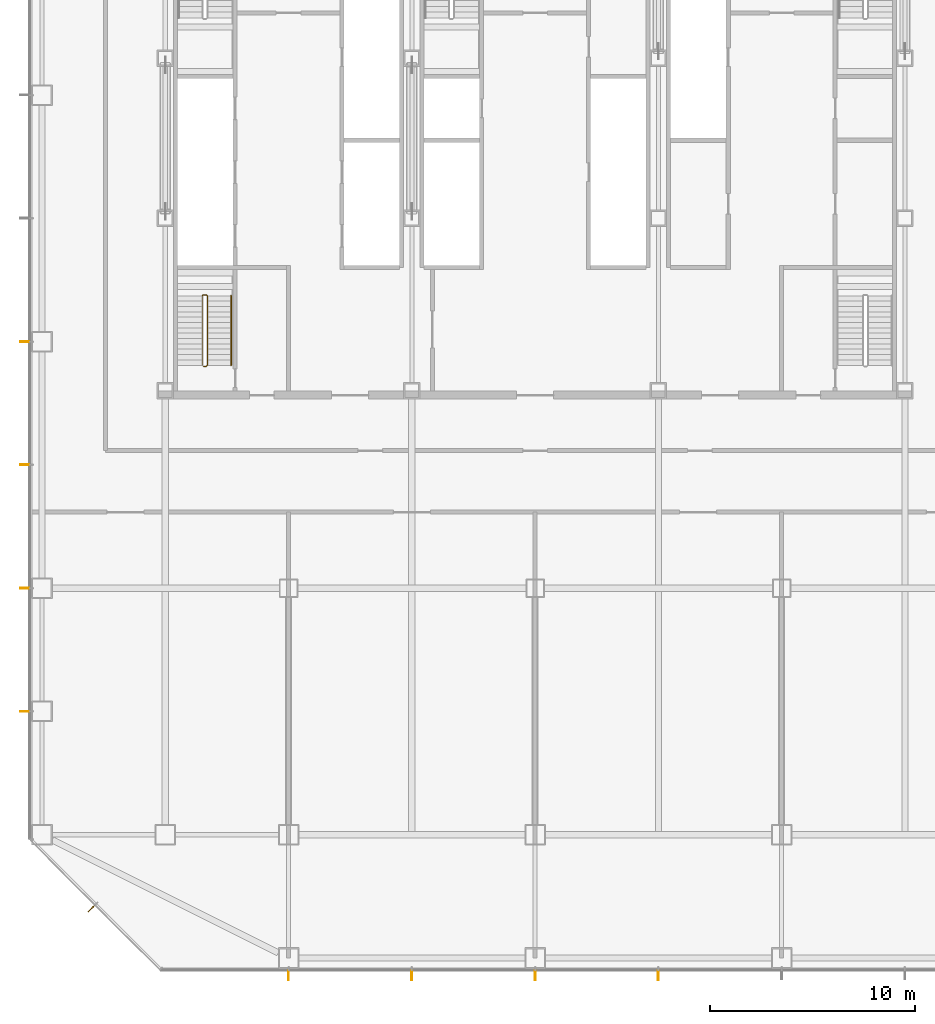
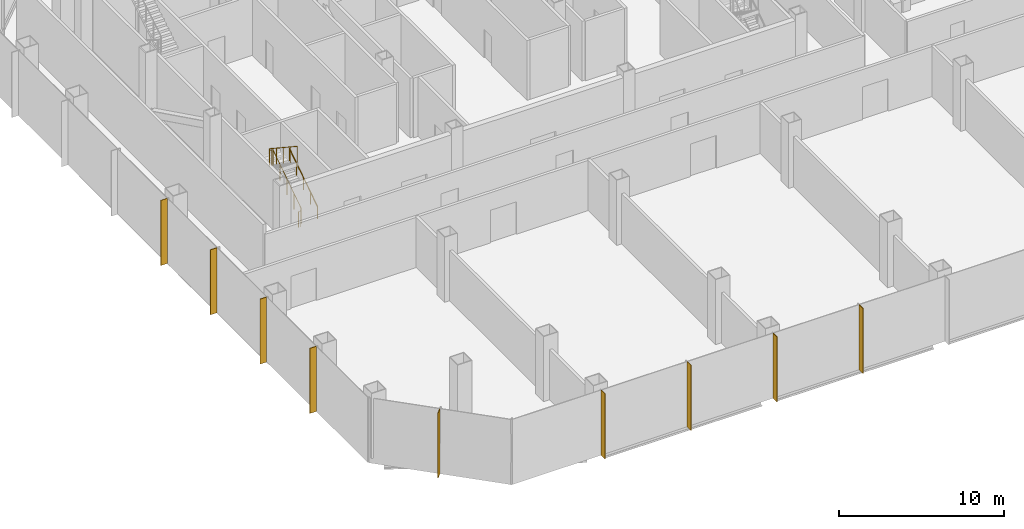
# One storey, part 27 of 33: 9 shading devices, 2 railings.
"""IFC4 building model written with IfcOpenShell, lengths in metres."""

import ifcopenshell
import ifcopenshell.guid

model = None  # the IFC model being written
_history = None  # IfcOwnerHistory: only IFC2X3 demands one
_inside = {}  # id of a spatial element -> (the spatial element, [elements in it])
_under = {}  # id of a project, library or spatial element -> (it, [spatial elements below it])
_declared = {}  # id of a project -> (the project, [libraries it declares])
_typed = {}  # id of a type object -> (the type object, [elements of that type])
_made_of = {}  # id of a material, layer set ... -> (it, [elements and type objects made of it])


def new_model(schema):
    """Start an empty IFC model of exactly this schema.

    Asked for "IFC4X3", IfcOpenShell would pick the latest addendum, in which some entities
    have other attributes; the version numbers below select the first issue.
    IFC2X3 requires an IfcOwnerHistory on every rooted entity: one is made here for all.
    """
    global model, _history
    if schema == "IFC4X3":
        model = ifcopenshell.file(schema_version=(4, 3, 0, 0))
    else:
        model = ifcopenshell.file(schema=schema)
    _inside.clear()
    _under.clear()
    _declared.clear()
    _typed.clear()
    _made_of.clear()
    _history = None
    if model.schema == "IFC2X3":
        org = make("IfcOrganization", Name="unknown")
        user = make(
            "IfcPersonAndOrganization",
            ThePerson=make("IfcPerson", FamilyName="unknown"),
            TheOrganization=org,
        )
        app = make(
            "IfcApplication",
            ApplicationDeveloper=org,
            Version="unknown",
            ApplicationFullName="unknown",
            ApplicationIdentifier="unknown",
        )
        _history = make(
            "IfcOwnerHistory",
            OwningUser=user,
            OwningApplication=app,
            ChangeAction="ADDED",
            CreationDate=0,
        )
    return model


def make(cls, **values):
    """One entity of the class cls with the attributes given. An attribute that is None is left unset."""
    return model.create_entity(
        cls, **{name: value for name, value in values.items() if value is not None}
    )


def rooted(cls, **values):
    """An entity with a GlobalId (a new one), such as an element, a storey or a relation."""
    return make(cls, GlobalId=ifcopenshell.guid.new(), OwnerHistory=_history, **values)


def si_unit(unit_type, name, prefix=None):
    """IfcSIUnit, for example si_unit("LENGTHUNIT", "METRE", prefix="MILLI")."""
    return make("IfcSIUnit", UnitType=unit_type, Prefix=prefix, Name=name)


def assignment(units):
    """IfcUnitAssignment: the units of a project."""
    return None if units is None else make("IfcUnitAssignment", Units=units)


def point(xyz):
    """IfcCartesianPoint."""
    return None if xyz is None else make("IfcCartesianPoint", Coordinates=xyz)


def direction(xyz):
    """IfcDirection."""
    return None if xyz is None else make("IfcDirection", DirectionRatios=xyz)


def frame(location, z_axis=None, x_axis=None):
    """IfcAxis2Placement3D, a coordinate frame: its origin and axes. An axis left out is left unset."""
    return make(
        "IfcAxis2Placement3D",
        Location=point(location),
        Axis=direction(z_axis),
        RefDirection=direction(x_axis),
    )


def frame_2d(location, x_axis=None):
    """IfcAxis2Placement2D, a coordinate frame in the plane: its origin and x axis."""
    return make(
        "IfcAxis2Placement2D", Location=point(location), RefDirection=direction(x_axis)
    )


def origin():
    """The frame at (0, 0, 0) with its axes left unset."""
    return frame((0.0, 0.0, 0.0))


def origin_2d():
    """The frame at (0, 0) in the plane with its x axis left unset."""
    return frame_2d((0.0, 0.0))


def place(relative_to, where):
    """IfcLocalPlacement: puts the frame where relative to a parent placement (None: the world)."""
    return make(
        "IfcLocalPlacement", PlacementRelTo=relative_to, RelativePlacement=where
    )


def context(
    kind, dimensions, precision=None, world=None, true_north=None, identifier=None
):
    """IfcGeometricRepresentationContext, for example the 3D "Model" context."""
    return make(
        "IfcGeometricRepresentationContext",
        ContextIdentifier=identifier,
        ContextType=kind,
        CoordinateSpaceDimension=dimensions,
        Precision=precision,
        WorldCoordinateSystem=world,
        TrueNorth=true_north,
    )


def subcontext(parent, identifier, kind, view, scale=None):
    """IfcGeometricRepresentationSubContext, for example "Body" below "Model"."""
    return make(
        "IfcGeometricRepresentationSubContext",
        ContextIdentifier=identifier,
        ContextType=kind,
        ParentContext=parent,
        TargetScale=scale,
        TargetView=view,
    )


def project(units=None, contexts=None):
    """IfcProject with its units and contexts."""
    return rooted(
        "IfcProject",
        Name="project",
        RepresentationContexts=contexts,
        UnitsInContext=assignment(units),
    )


def spatial(cls, under=None, at=None, **own):
    """A site, building, storey or space (cls), placed at a placement, below another one or the project."""
    s = rooted(cls, ObjectPlacement=at, **own)
    if under is not None:
        _under.setdefault(under.id(), (under, []))[1].append(s)
    return s


def profile(cls, at=None, kind="AREA", **sizes):
    """A parametric profile (cls). Its sizes go by their IFC names, for example OverallWidth=200.0."""
    return make(cls, ProfileType=kind, Position=at, **sizes)


def rectangle(**sizes):
    """IfcRectangleProfileDef."""
    return profile("IfcRectangleProfileDef", **sizes)


def circle(**sizes):
    """IfcCircleProfileDef."""
    return profile("IfcCircleProfileDef", **sizes)


def extrude(swept, where, along, depth):
    """IfcExtrudedAreaSolid: the profile swept, set in the frame where, extruded along a direction by depth."""
    return make(
        "IfcExtrudedAreaSolid",
        SweptArea=swept,
        Position=where,
        ExtrudedDirection=direction(along),
        Depth=depth,
    )


def shape(context_of_items, identifier, shape_type, items):
    """IfcShapeRepresentation: the items that make up one representation, for example the "Body"."""
    return make(
        "IfcShapeRepresentation",
        ContextOfItems=context_of_items,
        RepresentationIdentifier=identifier,
        RepresentationType=shape_type,
        Items=items,
    )


def material(Name=None, Category=None):
    """IfcMaterial."""
    return make("IfcMaterial", Name=Name, Category=Category)


def material_profile(
    of_material, cross_section, Name=None, Category=None, Priority=None
):
    """IfcMaterialProfile: a cross section and its material."""
    return make(
        "IfcMaterialProfile",
        Name=Name,
        Material=of_material,
        Profile=cross_section,
        Priority=Priority,
        Category=Category,
    )


def profile_set(profiles, Name=None, composite=None):
    """IfcMaterialProfileSet."""
    return make(
        "IfcMaterialProfileSet",
        Name=Name,
        MaterialProfiles=profiles,
        CompositeProfile=composite,
    )


def made_of(thing, what):
    """Note that an element or type object is made of a material, layer set ...; save() writes the relation."""
    if what is not None:
        _made_of.setdefault(what.id(), (what, []))[1].append(thing)
    return thing


def type_object(cls, material=None, **own):
    """A type object (cls), such as IfcWallType, which elements share."""
    return made_of(rooted(cls, **own), material)


def element(
    cls,
    number,
    at=None,
    inside=None,
    cuts=None,
    type_object=None,
    material=None,
    context=None,
    identifier="Body",
    shape_type=None,
    held_by="IfcProductDefinitionShape",
    body=None,
    shapes=None,
    **own,
):
    """One element of the class cls, such as IfcWall. Its Tag is "e" and its number.

    at: its placement. inside: the storey or other place that contains it. cuts: it is an
    opening in that element (IfcRelVoidsElement). A single representation is given by context,
    identifier, shape_type and body (its items); several are given by shapes. held_by: the class
    of the entity that holds the representations. save() writes the other relations.
    """
    e = rooted(cls, Tag="e%d" % number, ObjectPlacement=at, **own)
    if body is not None:
        shapes = [shape(context, identifier, shape_type, body)]
    if shapes is not None:
        e.Representation = make(held_by, Representations=shapes)
    if inside is not None:
        _inside.setdefault(inside.id(), (inside, []))[1].append(e)
    if cuts is not None:
        rooted(
            "IfcRelVoidsElement", RelatingBuildingElement=cuts, RelatedOpeningElement=e
        )
    if type_object is not None:
        _typed.setdefault(type_object.id(), (type_object, []))[1].append(e)
    return made_of(e, material)


def aggregate(whole, parts):
    """IfcRelAggregates: a whole, such as a stair, and the parts it consists of."""
    return rooted("IfcRelAggregates", RelatingObject=whole, RelatedObjects=parts)


def save(model, path):
    """Write the relations noted so far, then the file.

    IfcRelAggregates (storeys below a building ...), IfcRelContainedInSpatialStructure (elements
    in a storey), IfcRelDefinesByType, IfcRelAssociatesMaterial and IfcRelDeclares: one each for
    every whole, place, type object, material and project.
    """
    for whole, parts in _under.values():
        aggregate(whole, parts)
    for where, things in _inside.values():
        rooted(
            "IfcRelContainedInSpatialStructure",
            RelatedElements=things,
            RelatingStructure=where,
        )
    for kind, things in _typed.values():
        rooted("IfcRelDefinesByType", RelatedObjects=things, RelatingType=kind)
    for what, things in _made_of.values():
        rooted("IfcRelAssociatesMaterial", RelatedObjects=things, RelatingMaterial=what)
    for by, libraries in _declared.values():
        rooted("IfcRelDeclares", RelatingContext=by, RelatedDefinitions=libraries)
    model.write(path)


model = new_model("IFC4")

# Units and contexts
model_context = context("Model", 3, precision=1e-05, world=origin(), true_north=direction((0.0, 1.0)))
body_context = subcontext(model_context, "Body", "Model", "MODEL_VIEW")
ifc_project = project(units=[si_unit("LENGTHUNIT", "METRE"), si_unit("AREAUNIT", "SQUARE_METRE"), si_unit("VOLUMEUNIT", "CUBIC_METRE"), si_unit("PLANEANGLEUNIT", "RADIAN"), si_unit("MASSUNIT", "GRAM", prefix="KILO")], contexts=[model_context])

# Site, building, storey
site_placement = place(None, origin())
site = spatial("IfcSite", under=ifc_project, at=site_placement, CompositionType="ELEMENT")
building_placement = place(site_placement, origin())
building = spatial("IfcBuilding", under=site, at=building_placement, Name="Sorahane Residences", CompositionType="ELEMENT")
storey_placement = place(building_placement, frame((0.0, 0.0, 25.199951171875)))
storey = spatial("IfcBuildingStorey", under=building, at=storey_placement, Name="L03", CompositionType="ELEMENT", Elevation=25.199951171875)

# Shading devices
ifc_material_1 = material(Name="Terracotta anodised aluminium", Category="masonry")
ifc_material_profile = material_profile(ifc_material_1, rectangle(XDim=0.449951171875, YDim=0.0400390625, at=origin_2d()), Name="Podium vertical fin terracotta anodised aluminium 450x40")
ifc_profile_set = profile_set([ifc_material_profile], Name="Terracotta anodised aluminium")
shading_device_type = type_object("IfcShadingDeviceType", Name="Podium vertical fin terracotta anodised aluminium 450x40", PredefinedType="USERDEFINED", material=ifc_profile_set)
for number, where, z_axis, x_axis, name in (
    (1, (12.0, -6.844970703125, -0.39990234375), (0.0, 0.0, 1.0), (0.0, -1.0, 0.0), "Podium vertical fin L03 S1.1"),
    (2, (18.0, -6.844970703125, -0.39990234375), (0.0, 0.0, 1.0), (0.0, -1.0, 0.0), "Podium vertical fin L03 S1.2"),
    (3, (24.0, -6.844970703125, -0.39990234375), (0.0, 0.0, 1.0), (0.0, -1.0, 0.0), "Podium vertical fin L03 S1.3"),
    (4, (30.0, -6.844970703125, -0.39990234375), (0.0, 0.0, 1.0), (0.0, -1.0, 0.0), "Podium vertical fin L03 S1.4"),
    (5, (-0.844970703125, 24.0, -0.39990234375), (0.0, 0.0, 1.0), (-1.0, 0.0, 0.0), "Podium vertical fin L03 W1.4"),
    (6, (-0.844970703125, 18.0, -0.39990234375), (0.0, 0.0, 1.0), (-1.0, 0.0, 0.0), "Podium vertical fin L03 W1.5"),
    (7, (-0.844970703125, 12.0, -0.39990234375), (0.0, 0.0, 1.0), (-1.0, 0.0, 0.0), "Podium vertical fin L03 W1.6"),
    (8, (-0.844970703125, 6.0, -0.39990234375), (0.0, 0.0, 1.0), (-1.0, 0.0, 0.0), "Podium vertical fin L03 W1.7"),
    (9, (2.402587890625, -3.597412109375, -0.39990234375), (0.0, 0.0, 1.0), (-0.707106781187, -0.707106781187, 0.0), "Podium vertical fin L03 SW1.1"),
):
    element("IfcShadingDevice", number, at=place(storey_placement, frame(where, z_axis=z_axis, x_axis=x_axis)), inside=storey, type_object=shading_device_type, Name=name, ObjectType="Vertical fin", PredefinedType="USERDEFINED", context=body_context, shape_type="SweptSolid", body=[
        extrude(rectangle(XDim=0.449951171875, YDim=0.0400390625, at=origin_2d()), origin(), (0.0, 0.0, 1.0), 4.800048828125),
    ])

# Railings
ifc_material_2 = material(Name="Steel Q355B", Category="steel")
railing_type_1 = type_object("IfcRailingType", Name="Stair guard 1200 Steel Q355B", PredefinedType="GUARDRAIL", material=ifc_material_2)
railing_1_placement = place(storey_placement, frame((7.85009765625, 22.800048828125, 0.0)))
element("IfcRailing", 10, at=railing_1_placement, inside=storey, type_object=railing_type_1, Name="L03 S4 stair guard 1", PredefinedType="GUARDRAIL", context=body_context, shape_type="SweptSolid", body=[
    extrude(circle(Radius=0.02392578125, at=origin_2d()), frame((0.0, 0.0, 1.17578125), z_axis=(1.0, 0.0, 0.0), x_axis=(0.0, 1.0, 0.0)), (0.0, 0.0, 1.0), 0.14990234375),
    extrude(circle(Radius=0.02392578125, at=origin_2d()), frame((0.14990234375, 0.0, 1.17578125), z_axis=(0.269911200495, 0.269911200495, 0.924281281696), x_axis=(-0.707106781187, 0.707106781187, 0.0)), (0.0, 0.0, 1.0), 0.185546875),
    extrude(circle(Radius=0.02392578125, at=origin_2d()), frame((0.199951171875, 0.050048828125, 1.34716796875), z_axis=(0.0, 0.834832235197, 0.55050444056), x_axis=(-1.0, 0.0, 0.0)), (0.0, 0.0, 1.0), 4.048583984375),
    extrude(circle(Radius=0.02392578125, at=origin_2d()), frame((0.199951171875, 3.429931640625, 3.576171875), z_axis=(-0.707106781187, 0.707106781187, 0.0), x_axis=(-0.707106781187, -0.707106781187, 0.0)), (0.0, 0.0, 1.0), 0.07080078125),
    extrude(circle(Radius=0.02392578125, at=origin_2d()), frame((0.14990234375, 3.47998046875, 3.576171875), z_axis=(-1.0, 0.0, 0.0), x_axis=(0.0, -1.0, 0.0)), (0.0, 0.0, 1.0), 0.14990234375),
    extrude(circle(Radius=0.02392578125, at=origin_2d()), frame((0.0, 3.47998046875, 3.576171875), z_axis=(-0.269911200495, -0.269911200495, 0.924281281696), x_axis=(0.707106781187, -0.707106781187, 0.0)), (0.0, 0.0, 1.0), 0.185546875),
    extrude(circle(Radius=0.02392578125, at=origin_2d()), frame((-0.050048828125, 3.429931640625, 3.74755859375), z_axis=(0.0, -0.83485994896, 0.550462410727), x_axis=(1.0, 0.0, 0.0)), (0.0, 0.0, 1.0), 4.04833984375),
    extrude(circle(Radius=0.02099609375, at=origin_2d()), origin(), (0.0, 0.0, 1.0), 1.15185546875),
    extrude(circle(Radius=0.02099609375, at=origin_2d()), frame((0.14990234375, 0.0, 0.0)), (0.0, 0.0, 1.0), 1.15185546875),
    extrude(circle(Radius=0.02099609375, at=origin_2d()), frame((0.199951171875, 0.050048828125, 0.17138671875)), (0.0, 0.0, 1.0), 1.15185546875),
    extrude(circle(Radius=0.02099609375, at=origin_2d()), frame((0.199951171875, 0.89501953125, 0.728515625)), (0.0, 0.0, 1.0), 1.15185546875),
    extrude(circle(Radius=0.02099609375, at=origin_2d()), frame((0.199951171875, 1.739990234375, 1.28564453125)), (0.0, 0.0, 1.0), 1.15185546875),
    extrude(circle(Radius=0.02099609375, at=origin_2d()), frame((0.199951171875, 2.5849609375, 1.843017578125)), (0.0, 0.0, 1.0), 1.15185546875),
    extrude(circle(Radius=0.02099609375, at=origin_2d()), frame((0.199951171875, 3.429931640625, 2.400146484375)), (0.0, 0.0, 1.0), 1.15185546875),
    extrude(circle(Radius=0.02099609375, at=origin_2d()), frame((0.14990234375, 3.47998046875, 2.400146484375)), (0.0, 0.0, 1.0), 1.15185546875),
    extrude(circle(Radius=0.02099609375, at=origin_2d()), frame((0.0, 3.47998046875, 2.400146484375)), (0.0, 0.0, 1.0), 1.15185546875),
    extrude(circle(Radius=0.02099609375, at=origin_2d()), frame((-0.050048828125, 3.429931640625, 2.571533203125)), (0.0, 0.0, 1.0), 1.15185546875),
    extrude(circle(Radius=0.02099609375, at=origin_2d()), frame((-0.050048828125, 2.5849609375, 3.128662109375)), (0.0, 0.0, 1.0), 1.15185546875),
    extrude(circle(Radius=0.02099609375, at=origin_2d()), frame((-0.050048828125, 1.739990234375, 3.685791015625)), (0.0, 0.0, 1.0), 1.15185546875),
    extrude(circle(Radius=0.02099609375, at=origin_2d()), frame((-0.050048828125, 0.89501953125, 4.242919921875)), (0.0, 0.0, 1.0), 1.15185546875),
    extrude(circle(Radius=0.02099609375, at=origin_2d()), frame((-0.050048828125, 0.050048828125, 4.800048828125)), (0.0, 0.0, 1.0), 1.15185546875),
])
ifc_material_3 = material(Name="Steel Q355B", Category="steel")
railing_type_2 = type_object("IfcRailingType", Name="Stair handrail 900 Steel Q355B", PredefinedType="HANDRAIL", material=ifc_material_3)
railing_2_placement = place(storey_placement, frame((9.199951171875, 22.85009765625, 0.17138671875)))
element("IfcRailing", 11, at=railing_2_placement, inside=storey, type_object=railing_type_2, Name="L03 S4 stair handrail 1", PredefinedType="HANDRAIL", context=body_context, shape_type="SweptSolid", body=[
    extrude(circle(Radius=0.02392578125, at=origin_2d()), frame((0.0, 0.0, 0.8759765625), z_axis=(0.0, 0.834832235197, 0.55050444056), x_axis=(-1.0, 0.0, 0.0)), (0.0, 0.0, 1.0), 4.048583984375),
    extrude(circle(Radius=0.02099609375, at=origin_2d()), origin(), (0.0, 0.0, 1.0), 0.851806640625),
    extrude(circle(Radius=0.02099609375, at=origin_2d()), frame((0.0, 0.844970703125, 0.55712890625)), (0.0, 0.0, 1.0), 0.851806640625),
    extrude(circle(Radius=0.02099609375, at=origin_2d()), frame((0.0, 1.68994140625, 1.1142578125)), (0.0, 0.0, 1.0), 0.851806640625),
    extrude(circle(Radius=0.02099609375, at=origin_2d()), frame((0.0, 2.534912109375, 1.671630859375)), (0.0, 0.0, 1.0), 0.851806640625),
    extrude(circle(Radius=0.02099609375, at=origin_2d()), frame((0.0, 3.3798828125, 2.228759765625)), (0.0, 0.0, 1.0), 0.851806640625),
])

save(model, "model.ifc")
